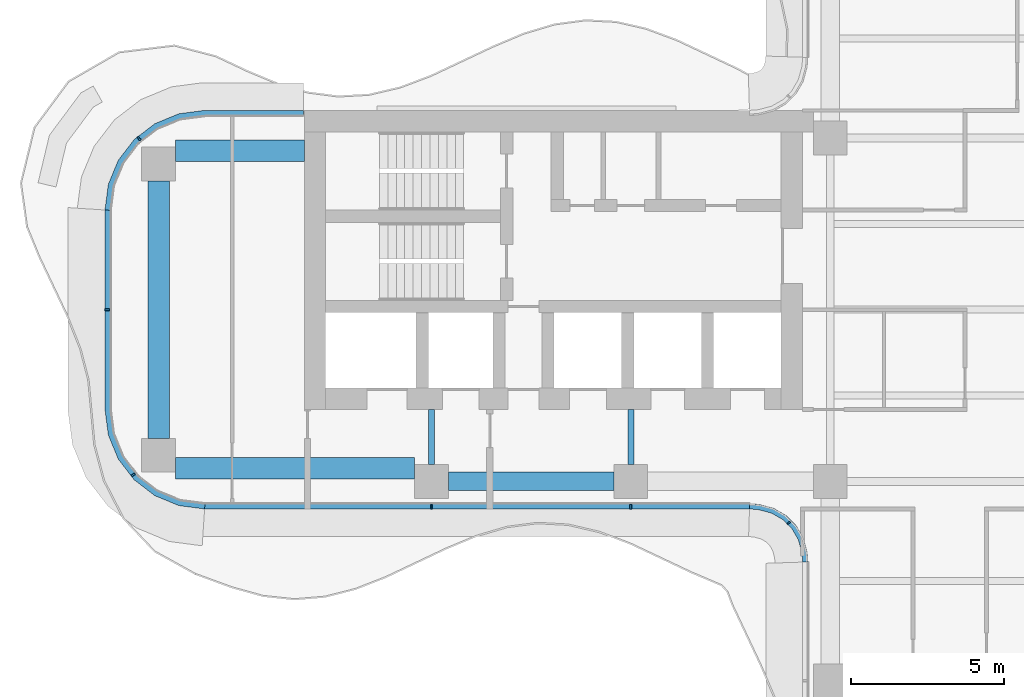
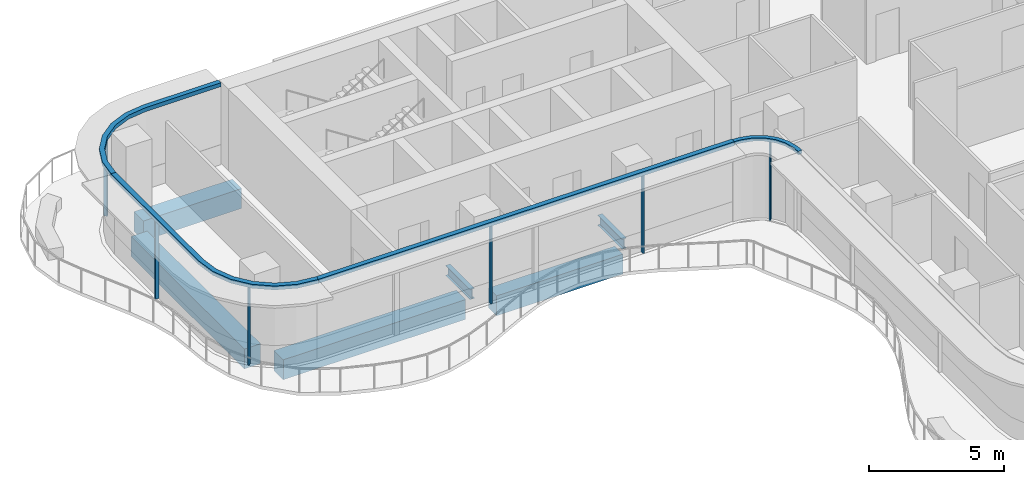
# One storey, part 3 of 17: 10 members, 6 beams, 4 elements without a shape of their own.
"""IFC4 building model written with IfcOpenShell, lengths in metres."""

from ifc_helpers import new_model, si_unit, direction, frame, origin, origin_2d, place, context, subcontext, project, spatial, polyline, rectangle, i_section, outline, extrude, source, transform, mapped, material, layer, layer_set, material_profile, profile_set, type_object, element, aggregate, save


model = new_model("IFC4")

# Units and contexts
model_context = context("Model", 3, precision=1e-05, world=origin(), true_north=direction((0.0, 1.0)))
body_context = subcontext(model_context, "Body", "Model", "MODEL_VIEW")
ifc_project = project(units=[si_unit("LENGTHUNIT", "METRE"), si_unit("AREAUNIT", "SQUARE_METRE"), si_unit("VOLUMEUNIT", "CUBIC_METRE"), si_unit("PLANEANGLEUNIT", "RADIAN"), si_unit("MASSUNIT", "GRAM", prefix="KILO")], contexts=[model_context])

# Site, building, storey
site_placement = place(None, origin())
site = spatial("IfcSite", under=ifc_project, at=site_placement, CompositionType="ELEMENT")
building_placement = place(site_placement, origin())
building = spatial("IfcBuilding", under=site, at=building_placement, Name="Trellis Farm Tower", CompositionType="ELEMENT")
storey_placement = place(building_placement, frame((0.0, 0.0, 236.300048828125)))
storey = spatial("IfcBuildingStorey", under=building, at=storey_placement, Name="L52", CompositionType="ELEMENT", Elevation=236.300048828125)

# Beams
ifc_material_1 = material(Name="Steel S355", Category="steel")
ifc_material_profile_1 = material_profile(ifc_material_1, i_section(OverallWidth=0.1904296875, OverallDepth=0.45703125, WebThickness=0.009033203125, FlangeThickness=0.014404296875, FilletRadius=0.01025390625, at=origin_2d()), Name="UB 457x191x74")
ifc_profile_set_1 = profile_set([ifc_material_profile_1], Name="Steel S355")
beam_type_1 = type_object("IfcBeamType", Name="UB 457x191x74", PredefinedType="BEAM", material=ifc_profile_set_1)
shared_shape_1 = source(origin(), body_context, "Body", "SweptSolid", [
    extrude(i_section(OverallWidth=0.1904296875, OverallDepth=0.45703125, WebThickness=0.009033203125, FlangeThickness=0.014404296875, FilletRadius=0.01025390625, at=origin_2d()), origin(), (0.0, 0.0, 1.0), 1.800048828125),
])
for number, where, z_axis, x_axis, name in (
    (1, (-18.60009765625, -5.050048828125, -0.428466796875), (0.0, 1.0, 0.0), (-1.0, 0.0, 0.0), "Girder"),
    (2, (-12.10009765625, -5.050048828125, -0.428466796875), (0.0, 1.0, 0.0), (-1.0, 0.0, 0.0), "Girder"),
):
    element("IfcBeam", number, at=place(storey_placement, frame(where, z_axis=z_axis, x_axis=x_axis)), inside=storey, type_object=beam_type_1, Name=name, PredefinedType="BEAM", context=body_context, shape_type="MappedRepresentation", body=[
        mapped(shared_shape_1, transform((0.0, 0.0, 0.0))),
    ])
ifc_material_2 = material(Name="Concrete C60/75", Category="concrete")
ifc_material_profile_2 = material_profile(ifc_material_2, rectangle(XDim=0.60009765625, YDim=0.89990234375, at=origin_2d()), Name="RC spandrel beam 600x900 C60/75")
ifc_profile_set_2 = profile_set([ifc_material_profile_2], Name="Concrete C60/75")
beam_type_2 = type_object("IfcBeamType", Name="RC spandrel beam 600x900 C60/75", PredefinedType="SPANDREL", material=ifc_profile_set_2)
shared_shape_2 = source(origin(), body_context, "Body", "SweptSolid", [
    extrude(rectangle(XDim=0.60009765625, YDim=0.89990234375, at=origin_2d()), origin(), (0.0, 0.0, 1.0), 5.400146484375),
])
beam_1_placement = place(storey_placement, frame((-18.050048828125, -5.60009765625, -0.650146484375), z_axis=(1.0, 0.0, 0.0), x_axis=(0.0, 1.0, 0.0)))
element("IfcBeam", 3, at=beam_1_placement, inside=storey, type_object=beam_type_2, Name="Girder", PredefinedType="SPANDREL", context=body_context, shape_type="MappedRepresentation", body=[
    mapped(shared_shape_2, transform((0.0, 0.0, 0.0))),
])
ifc_material_profile_3 = material_profile(ifc_material_2, rectangle(XDim=0.699951171875, YDim=0.89990234375, at=origin_2d()), Name="RC spandrel beam 700x900 C60/75")
ifc_profile_set_3 = profile_set([ifc_material_profile_3], Name="Concrete C60/75")
beam_type_3 = type_object("IfcBeamType", Name="RC spandrel beam 700x900 C60/75", PredefinedType="SPANDREL", material=ifc_profile_set_3)
shared_shape_3 = source(origin(), body_context, "Body", "SweptSolid", [
    extrude(rectangle(XDim=0.699951171875, YDim=0.89990234375, at=origin_2d()), origin(), (0.0, 0.0, 1.0), 8.39990234375),
])
beam_2_placement = place(storey_placement, frame((-27.5, -4.199951171875, -0.650146484375), z_axis=(0.0, 1.0, 0.0), x_axis=(-1.0, 0.0, 0.0)))
element("IfcBeam", 4, at=beam_2_placement, inside=storey, type_object=beam_type_3, Name="Girder", PredefinedType="SPANDREL", context=body_context, shape_type="MappedRepresentation", body=[
    mapped(shared_shape_3, transform((0.0, 0.0, 0.0))),
])
shared_shape_4 = source(origin(), body_context, "Body", "SweptSolid", [
    extrude(rectangle(XDim=0.699951171875, YDim=0.89990234375, at=origin_2d()), origin(), (0.0, 0.0, 1.0), 7.800048828125),
])
beam_3_placement = place(storey_placement, frame((-26.949951171875, -5.175048828125, -0.650146484375), z_axis=(1.0, 0.0, 0.0), x_axis=(0.0, 1.0, 0.0)))
element("IfcBeam", 5, at=beam_3_placement, inside=storey, type_object=beam_type_3, Name="Girder", PredefinedType="SPANDREL", context=body_context, shape_type="MappedRepresentation", body=[
    mapped(shared_shape_4, transform((0.0, 0.0, 0.0))),
])
shared_shape_5 = source(origin(), body_context, "Body", "SweptSolid", [
    extrude(rectangle(XDim=0.699951171875, YDim=0.89990234375, at=origin_2d()), origin(), (0.0, 0.0, 1.0), 4.199951171875),
])
beam_4_placement = place(storey_placement, frame((-26.949951171875, 5.175048828125, -0.650146484375), z_axis=(1.0, 0.0, 0.0), x_axis=(0.0, 1.0, 0.0)))
element("IfcBeam", 6, at=beam_4_placement, inside=storey, type_object=beam_type_3, Name="Girder", PredefinedType="SPANDREL", context=body_context, shape_type="MappedRepresentation", body=[
    mapped(shared_shape_5, transform((0.0, 0.0, 0.0))),
])

# Curtain wall, member
ifc_material_3 = material(Name="Aluminium and glass curtain wall", Category="aluminium")
ifc_layer_1 = layer(ifc_material_3, 0.166015625)
ifc_layer_set_1 = layer_set([ifc_layer_1], Name="WINTER GARDEN CURTAIN WALL CW3")
curtain_wall_type_1 = type_object("IfcCurtainWallType", Name="WINTER GARDEN CURTAIN WALL CW3", PredefinedType="NOTDEFINED", material=ifc_layer_set_1)
placement_1 = place(storey_placement, origin())
curtain_wall_1 = element("IfcCurtainWall", 7, at=placement_1, inside=storey, type_object=curtain_wall_type_1, Name="CW3 001", PredefinedType="NOTDEFINED")
ifc_material_4 = material(Name="Aluminium extrusion 6063-T6", Category="aluminium")
ifc_layer_2 = layer(ifc_material_4, 0.169921875)
ifc_layer_set_2 = layer_set([ifc_layer_2], Name="Aluminium extrusion 6063-T6")
member_type_1 = type_object("IfcMemberType", Name="CW3 TRANSOM 170x150", PredefinedType="USERDEFINED", material=ifc_layer_set_2)
shared_shape_6 = source(origin(), body_context, "Body", "SweptSolid", [
    extrude(outline(polyline([(-8.2314453125, -6.5), (-8.01953125, -6.513916015625), (-7.91552734375, -6.527587890625), (-7.508544921875, -6.63671875), (-7.144287109375, -6.846923828125), (-6.846923828125, -7.144287109375), (-6.63671875, -7.508544921875), (-6.527587890625, -7.91552734375), (-6.513916015625, -8.01953125), (-6.5, -8.2314453125), (-6.330078125, -8.225830078125), (-6.3447265625, -8.0029296875), (-6.360595703125, -7.88232421875), (-6.478271484375, -7.44287109375), (-6.7109375, -7.0400390625), (-7.0400390625, -6.7109375), (-7.44287109375, -6.478271484375), (-7.88232421875, -6.360595703125), (-8.0029296875, -6.3447265625), (-8.225830078125, -6.330078125), (-8.2314453125, -6.5)])), origin(), (0.0, 0.0, 1.0), 0.14990234375),
])
member_1_placement = place(storey_placement, frame((0.0, 0.0, 3.550048828125)))
member_1 = element("IfcMember", 8, at=member_1_placement, type_object=member_type_1, Name="TR3 001", ObjectType="TRANSOM", PredefinedType="USERDEFINED", context=body_context, shape_type="MappedRepresentation", body=[
    mapped(shared_shape_6, transform((0.0, 0.0, 0.0))),
])

# Curtain wall, members
ifc_layer_3 = layer(ifc_material_3, 0.18994140625)
ifc_layer_set_3 = layer_set([ifc_layer_3], Name="RIBBON CURTAIN WALL CW1")
curtain_wall_type_2 = type_object("IfcCurtainWallType", Name="RIBBON CURTAIN WALL CW1", PredefinedType="NOTDEFINED", material=ifc_layer_set_3)
curtain_wall_2 = element("IfcCurtainWall", 9, at=placement_1, inside=storey, type_object=curtain_wall_type_2, Name="CW1 001", PredefinedType="NOTDEFINED")
ifc_material_profile_4 = material_profile(ifc_material_4, rectangle(XDim=0.06005859375, YDim=0.14990234375, at=origin_2d()), Name="MULLION 60x150")
ifc_profile_set_4 = profile_set([ifc_material_profile_4], Name="Aluminium extrusion 6063-T6")
member_type_2 = type_object("IfcMemberType", Name="CW1 MULLION 60x150", PredefinedType="MULLION", material=ifc_profile_set_4)
shared_shape_7 = source(origin(), body_context, "Body", "SweptSolid", [
    extrude(rectangle(XDim=0.06005859375, YDim=0.14990234375, at=origin_2d()), origin(), (0.0, 0.0, 1.0), 3.52001953125),
])
member_2_placement = place(storey_placement, frame((-18.60009765625, -6.425048828125, 0.0), z_axis=(0.0, 0.0, 1.0), x_axis=(1.0, 0.0, 0.0)))
member_2 = element("IfcMember", 10, at=member_2_placement, type_object=member_type_2, Name="MU1 001-01", PredefinedType="MULLION", context=body_context, shape_type="MappedRepresentation", body=[
    mapped(shared_shape_7, transform((0.0, 0.0, 0.0))),
])
member_3_placement = place(storey_placement, frame((-12.10009765625, -6.425048828125, 0.0), z_axis=(0.0, 0.0, 1.0), x_axis=(1.0, 0.0, 0.0)))
member_3 = element("IfcMember", 11, at=member_3_placement, type_object=member_type_2, Name="MU1 001-02", PredefinedType="MULLION", context=body_context, shape_type="MappedRepresentation", body=[
    mapped(shared_shape_7, transform((0.0, 0.0, 0.0))),
])

# Curtain wall, member
curtain_wall_3 = element("IfcCurtainWall", 12, at=placement_1, inside=storey, type_object=curtain_wall_type_2, Name="CW1 012", PredefinedType="NOTDEFINED")
member_4_placement = place(storey_placement, frame((-28.135498046875, 5.578369140625, 0.0), z_axis=(0.0, 0.0, 1.0), x_axis=(-0.793353340291, -0.608761429009, 0.0)))
member_4 = element("IfcMember", 13, at=member_4_placement, type_object=member_type_2, Name="MU1 012-01", PredefinedType="MULLION", context=body_context, shape_type="MappedRepresentation", body=[
    mapped(shared_shape_7, transform((0.0, 0.0, 0.0))),
])

# Curtain wall, members
curtain_wall_4 = element("IfcCurtainWall", 14, at=placement_1, inside=storey, type_object=curtain_wall_type_2, Name="CW1 013", PredefinedType="NOTDEFINED")
member_5_placement = place(storey_placement, frame((-29.175048828125, 0.0, 0.0), z_axis=(0.0, 0.0, 1.0), x_axis=(0.0, -1.0, 0.0)))
member_5 = element("IfcMember", 15, at=member_5_placement, type_object=member_type_2, Name="MU1 013-01", PredefinedType="MULLION", context=body_context, shape_type="MappedRepresentation", body=[
    mapped(shared_shape_7, transform((0.0, 0.0, 0.0))),
])
member_6_placement = place(storey_placement, frame((-28.328369140625, -5.385498046875, 0.0), z_axis=(0.0, 0.0, 1.0), x_axis=(0.608761429009, -0.793353340291, 0.0)))
member_6 = element("IfcMember", 16, at=member_6_placement, type_object=member_type_2, Name="MU1 013-02", PredefinedType="MULLION", context=body_context, shape_type="MappedRepresentation", body=[
    mapped(shared_shape_7, transform((0.0, 0.0, 0.0))),
])

# Member
ifc_material_profile_5 = material_profile(ifc_material_4, rectangle(XDim=0.050048828125, YDim=0.1201171875, at=origin_2d()), Name="MULLION 50x120")
ifc_profile_set_5 = profile_set([ifc_material_profile_5], Name="Aluminium extrusion 6063-T6")
member_type_3 = type_object("IfcMemberType", Name="CW3 MULLION 50x120", PredefinedType="MULLION", material=ifc_profile_set_5)
shared_shape_8 = source(origin(), body_context, "Body", "SweptSolid", [
    extrude(rectangle(XDim=0.050048828125, YDim=0.1201171875, at=origin_2d()), origin(), (0.0, 0.0, 1.0), 3.550048828125),
])
member_7_placement = place(storey_placement, frame((-6.953125, -6.953125, 0.0), z_axis=(0.0, 0.0, 1.0), x_axis=(0.707106781187, -0.707106781187, 0.0)))
member_7 = element("IfcMember", 17, at=member_7_placement, type_object=member_type_3, Name="MU3 001-01", PredefinedType="MULLION", context=body_context, shape_type="MappedRepresentation", body=[
    mapped(shared_shape_8, transform((0.0, 0.0, 0.0))),
])

aggregate(curtain_wall_1, [member_7, member_1])

ifc_layer_4 = layer(ifc_material_4, 0.199951171875)
ifc_layer_set_4 = layer_set([ifc_layer_4], Name="Aluminium extrusion 6063-T6")
member_type_4 = type_object("IfcMemberType", Name="CW1 TRANSOM 200x180", PredefinedType="USERDEFINED", material=ifc_layer_set_4)
shared_shape_9 = source(origin(), body_context, "Body", "SweptSolid", [
    extrude(outline(polyline([(-26.0, -6.5), (-8.2314453125, -6.5), (-8.224853515625, -6.300048828125), (-25.98681640625, -6.300048828125), (-26.0, -6.5)])), origin(), (0.0, 0.0, 1.0), 0.179931640625),
])
placement_2 = place(storey_placement, frame((0.0, 0.0, 3.52001953125)))
member_8 = element("IfcMember", 18, at=placement_2, type_object=member_type_4, Name="TR1 001", ObjectType="TRANSOM", PredefinedType="USERDEFINED", context=body_context, shape_type="MappedRepresentation", body=[
    mapped(shared_shape_9, transform((0.0, 0.0, 0.0))),
])

aggregate(curtain_wall_2, [member_2, member_3, member_8])

shared_shape_10 = source(origin(), body_context, "Body", "SweptSolid", [
    extrude(outline(polyline([(-22.780029296875, 6.5), (-26.0, 6.5), (-26.841064453125, 6.38916015625), (-27.625, 6.064697265625), (-28.298095703125, 5.548095703125), (-28.814697265625, 4.875), (-29.13916015625, 4.091064453125), (-29.25, 3.25), (-29.050048828125, 3.23681640625), (-28.9443359375, 4.0390625), (-28.639892578125, 4.774169921875), (-28.155517578125, 5.405517578125), (-27.524169921875, 5.889892578125), (-26.7890625, 6.1943359375), (-25.98681640625, 6.300048828125), (-22.780029296875, 6.300048828125), (-22.780029296875, 6.5)])), origin(), (0.0, 0.0, 1.0), 0.179931640625),
])
member_9 = element("IfcMember", 19, at=placement_2, type_object=member_type_4, Name="TR1 012", ObjectType="TRANSOM", PredefinedType="USERDEFINED", context=body_context, shape_type="MappedRepresentation", body=[
    mapped(shared_shape_10, transform((0.0, 0.0, 0.0))),
])

aggregate(curtain_wall_3, [member_4, member_9])

shared_shape_11 = source(origin(), body_context, "Body", "SweptSolid", [
    extrude(outline(polyline([(-29.25, 3.25), (-29.25, -3.25), (-29.13916015625, -4.091064453125), (-28.814697265625, -4.875), (-28.298095703125, -5.548095703125), (-27.625, -6.064697265625), (-26.841064453125, -6.38916015625), (-26.0, -6.5), (-25.98681640625, -6.300048828125), (-26.7890625, -6.1943359375), (-27.524169921875, -5.889892578125), (-28.155517578125, -5.405517578125), (-28.639892578125, -4.774169921875), (-28.9443359375, -4.0390625), (-29.050048828125, -3.23681640625), (-29.050048828125, 3.23681640625), (-29.25, 3.25)])), origin(), (0.0, 0.0, 1.0), 0.179931640625),
])
member_10 = element("IfcMember", 20, at=placement_2, type_object=member_type_4, Name="TR1 013", ObjectType="TRANSOM", PredefinedType="USERDEFINED", context=body_context, shape_type="MappedRepresentation", body=[
    mapped(shared_shape_11, transform((0.0, 0.0, 0.0))),
])

aggregate(curtain_wall_4, [member_5, member_6, member_10])

save(model, "model.ifc")
